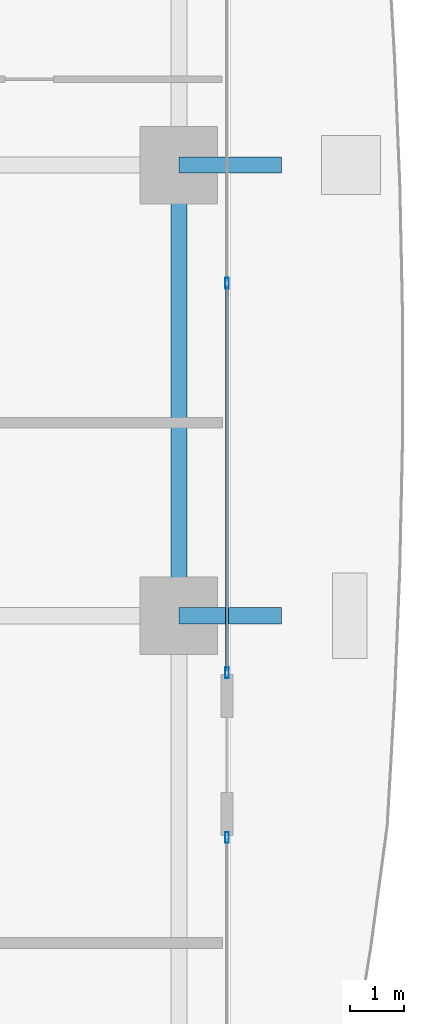
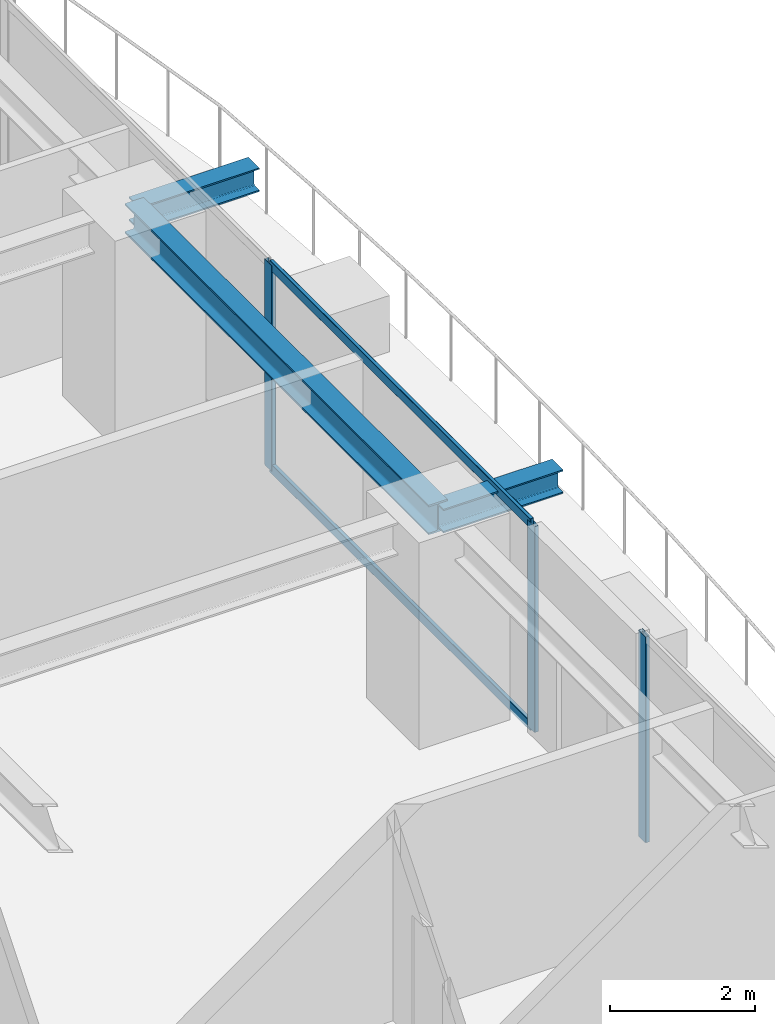
# One storey, part 14 of 38: 5 members, 3 beams, 2 elements without a shape of their own.
"""IFC4 building model written with IfcOpenShell, lengths in metres."""

from ifc_helpers import new_model, si_unit, direction, frame, origin, origin_2d, place, context, subcontext, project, spatial, hollow_rectangle, i_section, extrude, source, transform, mapped, material, layer, layer_set, material_profile, profile_set, type_object, element, aggregate, save


model = new_model("IFC4")

# Units and contexts
model_context = context("Model", 3, precision=1e-05, world=origin(), true_north=direction((0.0, 1.0)))
body_context = subcontext(model_context, "Body", "Model", "MODEL_VIEW")
ifc_project = project(units=[si_unit("LENGTHUNIT", "METRE"), si_unit("AREAUNIT", "SQUARE_METRE"), si_unit("VOLUMEUNIT", "CUBIC_METRE"), si_unit("PLANEANGLEUNIT", "RADIAN"), si_unit("MASSUNIT", "GRAM", prefix="KILO")], contexts=[model_context])

# Site, building, storey
site_placement = place(None, origin())
site = spatial("IfcSite", under=ifc_project, at=site_placement, CompositionType="ELEMENT")
building_placement = place(site_placement, origin())
building = spatial("IfcBuilding", under=site, at=building_placement, Name="Serunith Strait Residences", CompositionType="ELEMENT")
storey_placement = place(building_placement, frame((0.0, 0.0, 37.949951171875)))
storey = spatial("IfcBuildingStorey", under=building, at=storey_placement, Name="L08", CompositionType="ELEMENT", Elevation=37.949951171875)

# Beams
ifc_material_1 = material(Name="Steel S355J2", Category="steel")
ifc_material_profile_1 = material_profile(ifc_material_1, i_section(OverallWidth=0.300048828125, OverallDepth=0.5, WebThickness=0.014404296875, FlangeThickness=0.028076171875, FilletRadius=0.027099609375, at=origin_2d()), Name="HEB 500")
ifc_profile_set_1 = profile_set([ifc_material_profile_1], Name="Steel S355J2")
beam_type_1 = type_object("IfcBeamType", Name="BM-HEB500", PredefinedType="BEAM", material=ifc_profile_set_1)
shared_shape_1 = source(origin(), body_context, "Body", "SweptSolid", [
    extrude(i_section(OverallWidth=0.300048828125, OverallDepth=0.5, WebThickness=0.014404296875, FlangeThickness=0.028076171875, FilletRadius=0.027099609375, at=origin_2d()), origin(), (0.0, 0.0, 1.0), 8.39990234375),
])
beam_placement = place(storey_placement, frame((57.89990234375, 21.0, 3.237060546875), z_axis=(0.0, 1.0, 0.0), x_axis=(-1.0, 0.0, 0.0)))
element("IfcBeam", 1, at=beam_placement, inside=storey, type_object=beam_type_1, Name="L08 Perimeter Ring Beam 06", PredefinedType="BEAM", context=body_context, shape_type="MappedRepresentation", body=[
    mapped(shared_shape_1, transform((0.0, 0.0, 0.0), scale=1.0)),
])
ifc_material_profile_2 = material_profile(ifc_material_1, i_section(OverallWidth=0.300048828125, OverallDepth=0.39990234375, WebThickness=0.013427734375, FlangeThickness=0.02392578125, FilletRadius=0.027099609375, at=origin_2d()), Name="HEB 400")
ifc_profile_set_2 = profile_set([ifc_material_profile_2], Name="Steel S355J2")
beam_type_2 = type_object("IfcBeamType", Name="BM-HEB400", PredefinedType="BEAM", material=ifc_profile_set_2)
shared_shape_2 = source(origin(), body_context, "Body", "SweptSolid", [
    extrude(i_section(OverallWidth=0.300048828125, OverallDepth=0.39990234375, WebThickness=0.013427734375, FlangeThickness=0.02392578125, FilletRadius=0.027099609375, at=origin_2d()), origin(), (0.0, 0.0, 1.0), 1.91015625),
])
for number, where, z_axis, x_axis, name in (
    (2, (57.89990234375, 21.0, 3.257080078125), (1.0, 0.0, 0.0), (0.0, 1.0, 0.0), "L09 Cantilevered Balcony Rib TC-E2"),
    (3, (57.89990234375, 29.39990234375, 3.257080078125), (1.0, 0.0, 0.0), (0.0, 1.0, 0.0), "L09 Cantilevered Balcony Rib TC-E3"),
):
    element("IfcBeam", number, at=place(storey_placement, frame(where, z_axis=z_axis, x_axis=x_axis)), inside=storey, type_object=beam_type_2, Name=name, PredefinedType="BEAM", context=body_context, shape_type="MappedRepresentation", body=[
        mapped(shared_shape_2, transform((0.0, 0.0, 0.0), scale=1.0)),
    ])

# Curtain wall, member
ifc_material_2 = material(Name="Pale-Champagne Anodised Aluminium", Category="aluminium")
ifc_layer = layer(ifc_material_2, 0.199951171875, Name="Pale-Champagne Anodised Aluminium")
ifc_layer_set = layer_set([ifc_layer], Name="Pale-Champagne Anodised Aluminium")
curtain_wall_type = type_object("IfcCurtainWallType", Name="CW-SYS1", PredefinedType="NOTDEFINED", material=ifc_layer_set)
curtain_wall_1_placement = place(storey_placement, origin())
curtain_wall_1 = element("IfcCurtainWall", 4, at=curtain_wall_1_placement, inside=storey, type_object=curtain_wall_type, Name="L08 E Unitised Fritted Curtain Wall", PredefinedType="NOTDEFINED")
ifc_material_profile_3 = material_profile(ifc_material_2, hollow_rectangle(XDim=0.070068359375, YDim=0.199951171875, WallThickness=0.00390625, InnerFilletRadius=0.006103515625, OuterFilletRadius=0.010009765625, at=origin_2d()), Name="ALU 200x70x4")
ifc_profile_set_3 = profile_set([ifc_material_profile_3], Name="Pale-Champagne Anodised Aluminium")
member_type_1 = type_object("IfcMemberType", Name="CW-SYS1-MULL", PredefinedType="MULLION", material=ifc_profile_set_3)
shared_shape_3 = source(origin(), body_context, "Body", "SweptSolid", [
    extrude(hollow_rectangle(XDim=0.070068359375, YDim=0.199951171875, WallThickness=0.00390625, InnerFilletRadius=0.006103515625, OuterFilletRadius=0.010009765625, at=origin_2d()), origin(), (0.0, 0.0, 1.0), 3.47509765625),
])
member_1_placement = place(storey_placement, frame((58.800048828125, 16.864990234375, 0.0), z_axis=(0.0, 0.0, 1.0), x_axis=(-1.0, 0.0, 0.0)))
member_1 = element("IfcMember", 5, at=member_1_placement, type_object=member_type_1, Name="CW-1 mullion 2", PredefinedType="MULLION", context=body_context, shape_type="MappedRepresentation", body=[
    mapped(shared_shape_3, transform((0.0, 0.0, 0.0), scale=1.0)),
])
aggregate(curtain_wall_1, [member_1])

# Curtain wall, members
curtain_wall_2_placement = place(storey_placement, origin())
curtain_wall_2 = element("IfcCurtainWall", 6, at=curtain_wall_2_placement, inside=storey, type_object=curtain_wall_type, Name="L08 E Unitised Fritted Curtain Wall", PredefinedType="NOTDEFINED")
member_2_placement = place(storey_placement, frame((58.800048828125, 19.93505859375, 0.0), z_axis=(0.0, 0.0, 1.0), x_axis=(-1.0, 0.0, 0.0)))
member_2 = element("IfcMember", 7, at=member_2_placement, type_object=member_type_1, Name="CW-1 mullion 1", PredefinedType="MULLION", context=body_context, shape_type="MappedRepresentation", body=[
    mapped(shared_shape_3, transform((0.0, 0.0, 0.0), scale=1.0)),
])
member_3_placement = place(storey_placement, frame((58.800048828125, 27.199951171875, 0.0), z_axis=(0.0, 0.0, 1.0), x_axis=(-1.0, 0.0, 0.0)))
member_3 = element("IfcMember", 8, at=member_3_placement, type_object=member_type_1, Name="CW-1 mullion 2", PredefinedType="MULLION", context=body_context, shape_type="MappedRepresentation", body=[
    mapped(shared_shape_3, transform((0.0, 0.0, 0.0), scale=1.0)),
])
ifc_material_profile_4 = material_profile(ifc_material_2, hollow_rectangle(XDim=0.06005859375, YDim=0.159912109375, WallThickness=0.00341796875, InnerFilletRadius=0.00537109375, OuterFilletRadius=0.0087890625, at=origin_2d()), Name="ALU 160x60x3.5")
ifc_profile_set_4 = profile_set([ifc_material_profile_4], Name="Pale-Champagne Anodised Aluminium")
member_type_2 = type_object("IfcMemberType", Name="CW-SYS1-TRAN", PredefinedType="USERDEFINED", material=ifc_profile_set_4)
shared_shape_4 = source(origin(), body_context, "Body", "SweptSolid", [
    extrude(hollow_rectangle(XDim=0.06005859375, YDim=0.159912109375, WallThickness=0.00341796875, InnerFilletRadius=0.00537109375, OuterFilletRadius=0.0087890625, at=origin_2d()), origin(), (0.0, 0.0, 1.0), 7.195068359375),
])
member_4_placement = place(storey_placement, frame((58.800048828125, 19.969970703125, 0.030029296875), z_axis=(0.0, 1.0, 0.0), x_axis=(-1.0, 0.0, 0.0)))
member_4 = element("IfcMember", 9, at=member_4_placement, type_object=member_type_2, Name="CW-1 transom 1.1", ObjectType="TRANSOM", PredefinedType="USERDEFINED", context=body_context, shape_type="MappedRepresentation", body=[
    mapped(shared_shape_4, transform((0.0, 0.0, 0.0), scale=1.0)),
])
member_5_placement = place(storey_placement, frame((58.800048828125, 19.969970703125, 3.445068359375), z_axis=(0.0, 1.0, 0.0), x_axis=(-1.0, 0.0, 0.0)))
member_5 = element("IfcMember", 10, at=member_5_placement, type_object=member_type_2, Name="CW-1 transom 1.2", ObjectType="TRANSOM", PredefinedType="USERDEFINED", context=body_context, shape_type="MappedRepresentation", body=[
    mapped(shared_shape_4, transform((0.0, 0.0, 0.0), scale=1.0)),
])
aggregate(curtain_wall_2, [member_2, member_3, member_4, member_5])

save(model, "model.ifc")
